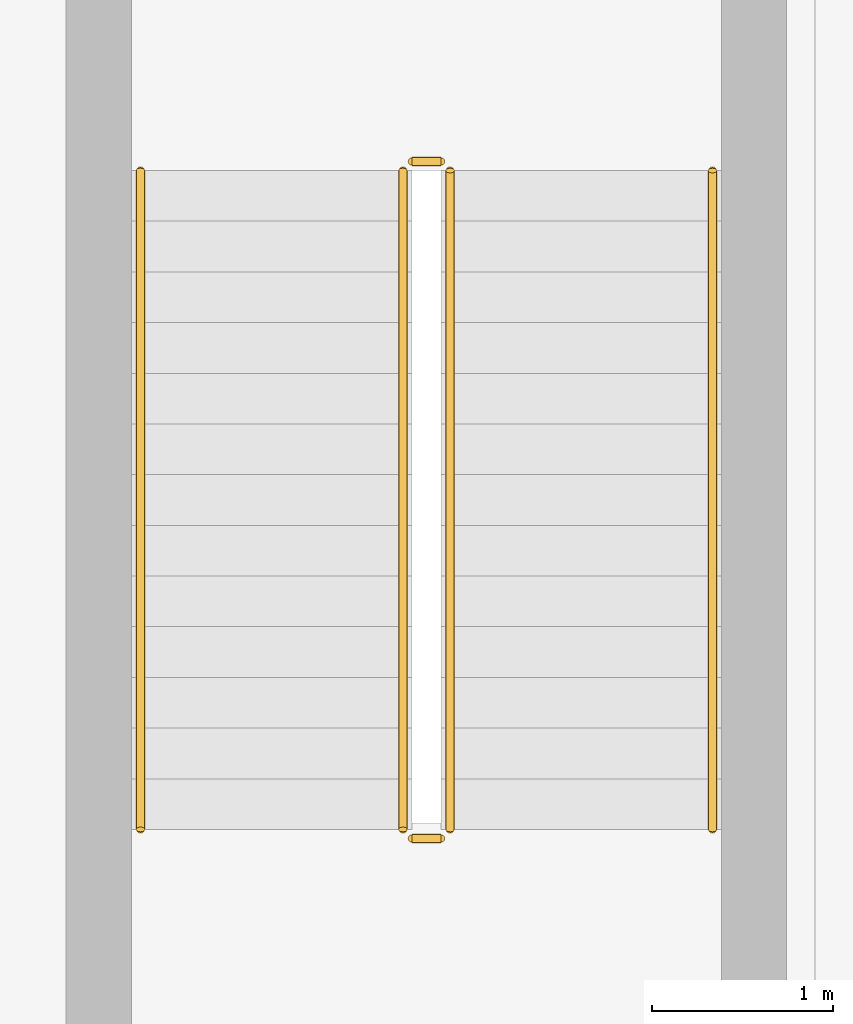
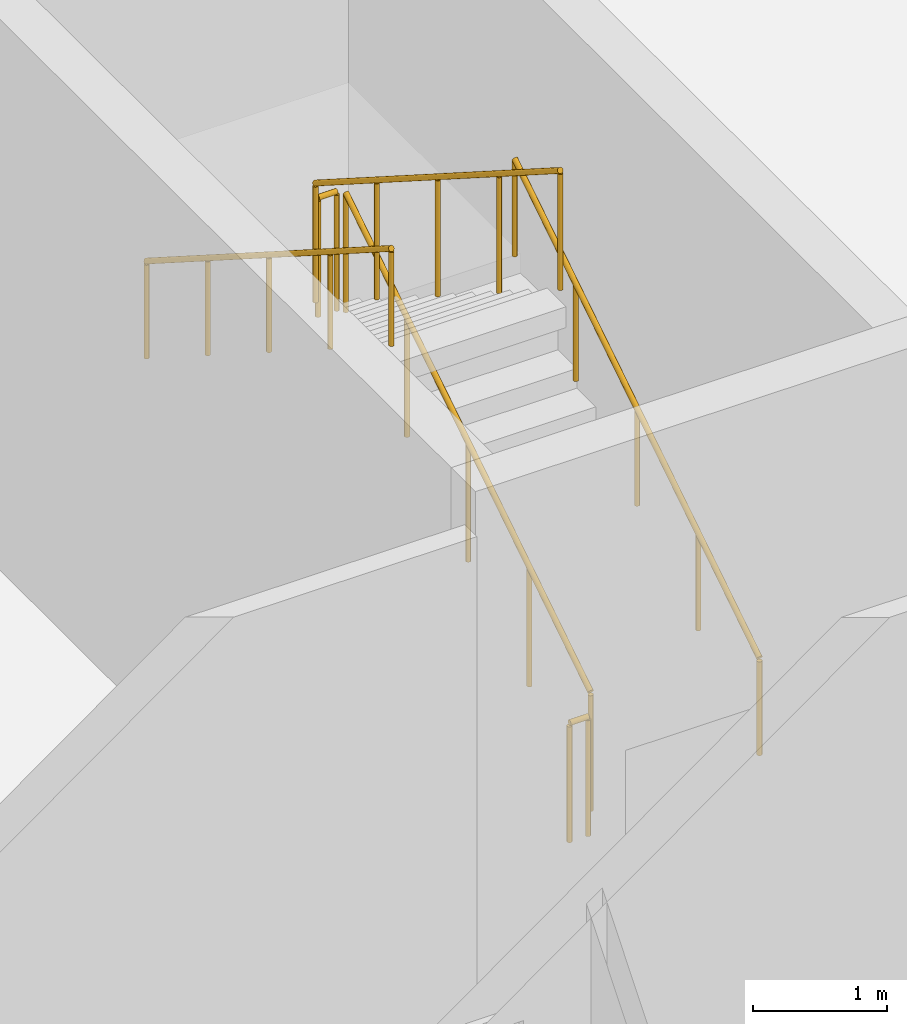
# One storey, part 13 of 15: 6 railings.
"""IFC4 building model written with IfcOpenShell, lengths in metres."""

from ifc_helpers import new_model, si_unit, direction, frame, origin, origin_2d, place, context, subcontext, project, spatial, circle, extrude, source, transform, mapped, material, type_object, element, save


model = new_model("IFC4")

# Units and contexts
model_context = context("Model", 3, precision=1e-05, world=origin(), true_north=direction((0.0, 1.0)))
body_context = subcontext(model_context, "Body", "Model", "MODEL_VIEW")
ifc_project = project(units=[si_unit("LENGTHUNIT", "METRE"), si_unit("AREAUNIT", "SQUARE_METRE"), si_unit("VOLUMEUNIT", "CUBIC_METRE"), si_unit("PLANEANGLEUNIT", "RADIAN"), si_unit("MASSUNIT", "GRAM", prefix="KILO"), si_unit("THERMODYNAMICTEMPERATUREUNIT", "KELVIN")], contexts=[model_context])

# Site, building, storey
site_placement = place(None, origin())
site = spatial("IfcSite", under=ifc_project, at=site_placement, CompositionType="ELEMENT")
building_placement = place(site_placement, origin())
building = spatial("IfcBuilding", under=site, at=building_placement, Name="Kosmvard Interchange Tower", CompositionType="ELEMENT")
storey_placement = place(building_placement, frame((0.0, 0.0, 11.0)))
storey = spatial("IfcBuildingStorey", under=building, at=storey_placement, Name="L02", CompositionType="ELEMENT", Elevation=11.0)

# Railings
ifc_material = material(Name="Steel S355", Category="steel")
railing_type_1 = type_object("IfcRailingType", Name="Stair & Terrace Safety Guardrail 1100 Steel", PredefinedType="GUARDRAIL", material=ifc_material)
shared_shape_1 = source(origin(), body_context, "Body", "SweptSolid", [
    extrude(circle(Radius=0.02392578125, at=origin_2d()), frame((0.0, 0.0, 1.076171875), z_axis=(0.0, 0.843111507901, 0.53773877045), x_axis=(-1.0, 0.0, 0.0)), (0.0, 0.0, 1.0), 4.317138671875),
    extrude(circle(Radius=0.02099609375, at=origin_2d()), origin(), (0.0, 0.0, 1.0), 1.052001953125),
    extrude(circle(Radius=0.02099609375, at=origin_2d()), frame((0.0, 0.909912109375, 0.580322265625)), (0.0, 0.0, 1.0), 1.052001953125),
    extrude(circle(Radius=0.02099609375, at=origin_2d()), frame((0.0, 1.81982421875, 1.16064453125)), (0.0, 0.0, 1.0), 1.052001953125),
    extrude(circle(Radius=0.02099609375, at=origin_2d()), frame((0.0, 2.72998046875, 1.7412109375)), (0.0, 0.0, 1.0), 1.052001953125),
    extrude(circle(Radius=0.02099609375, at=origin_2d()), frame((0.0, 3.639892578125, 2.321533203125)), (0.0, 0.0, 1.0), 1.052001953125),
])
railing_1_placement = place(storey_placement, frame((21.080078125, -3.0, 0.178466796875)))
element("IfcRailing", 1, at=railing_1_placement, inside=storey, type_object=railing_type_1, Name="L02 ST-4 stair guard 1", PredefinedType="GUARDRAIL", context=body_context, shape_type="MappedRepresentation", body=[
    mapped(shared_shape_1, transform((0.0, 0.0, 0.0), scale=1.0)),
])
shared_shape_2 = source(origin(), body_context, "Body", "SweptSolid", [
    extrude(circle(Radius=0.02392578125, at=origin_2d()), frame((0.0, 0.0, 1.076171875), z_axis=(0.0, -0.843111507901, 0.53773877045), x_axis=(1.0, 0.0, 0.0)), (0.0, 0.0, 1.0), 4.317138671875),
    extrude(circle(Radius=0.02099609375, at=origin_2d()), origin(), (0.0, 0.0, 1.0), 1.052001953125),
    extrude(circle(Radius=0.02099609375, at=origin_2d()), frame((0.0, -0.909912109375, 0.580322265625)), (0.0, 0.0, 1.0), 1.052001953125),
    extrude(circle(Radius=0.02099609375, at=origin_2d()), frame((0.0, -1.81982421875, 1.16064453125)), (0.0, 0.0, 1.0), 1.052001953125),
    extrude(circle(Radius=0.02099609375, at=origin_2d()), frame((0.0, -2.72998046875, 1.7412109375)), (0.0, 0.0, 1.0), 1.052001953125),
    extrude(circle(Radius=0.02099609375, at=origin_2d()), frame((0.0, -3.639892578125, 2.321533203125)), (0.0, 0.0, 1.0), 1.052001953125),
])
railing_2_placement = place(storey_placement, frame((20.820068359375, 0.639892578125, 2.678466796875)))
element("IfcRailing", 2, at=railing_2_placement, inside=storey, type_object=railing_type_1, Name="L02 ST-4 stair guard 3", PredefinedType="GUARDRAIL", context=body_context, shape_type="MappedRepresentation", body=[
    mapped(shared_shape_2, transform((0.0, 0.0, 0.0), scale=1.0)),
])
railing_type_2 = type_object("IfcRailingType", Name="Wall-Mounted Stair Handrail 900 Steel", PredefinedType="HANDRAIL", material=ifc_material)
shared_shape_3 = source(origin(), body_context, "Body", "SweptSolid", [
    extrude(circle(Radius=0.02392578125, at=origin_2d()), frame((0.0, 0.0, 0.8759765625), z_axis=(0.0, 0.843111507901, 0.53773877045), x_axis=(-1.0, 0.0, 0.0)), (0.0, 0.0, 1.0), 4.317138671875),
    extrude(circle(Radius=0.02099609375, at=origin_2d()), origin(), (0.0, 0.0, 1.0), 0.851806640625),
    extrude(circle(Radius=0.02099609375, at=origin_2d()), frame((0.0, 0.909912109375, 0.580322265625)), (0.0, 0.0, 1.0), 0.851806640625),
    extrude(circle(Radius=0.02099609375, at=origin_2d()), frame((0.0, 1.81982421875, 1.16064453125)), (0.0, 0.0, 1.0), 0.851806640625),
    extrude(circle(Radius=0.02099609375, at=origin_2d()), frame((0.0, 2.72998046875, 1.7412109375)), (0.0, 0.0, 1.0), 0.851806640625),
    extrude(circle(Radius=0.02099609375, at=origin_2d()), frame((0.0, 3.639892578125, 2.321533203125)), (0.0, 0.0, 1.0), 0.851806640625),
])
railing_3_placement = place(storey_placement, frame((22.530029296875, -3.0, 0.178466796875)))
element("IfcRailing", 3, at=railing_3_placement, inside=storey, type_object=railing_type_2, Name="L02 ST-4 stair handrail 1", PredefinedType="HANDRAIL", context=body_context, shape_type="MappedRepresentation", body=[
    mapped(shared_shape_3, transform((0.0, 0.0, 0.0), scale=1.0)),
])
shared_shape_4 = source(origin(), body_context, "Body", "SweptSolid", [
    extrude(circle(Radius=0.02392578125, at=origin_2d()), frame((0.0, 0.0, 0.8759765625), z_axis=(0.0, -0.843111507901, 0.53773877045), x_axis=(1.0, 0.0, 0.0)), (0.0, 0.0, 1.0), 4.317138671875),
    extrude(circle(Radius=0.02099609375, at=origin_2d()), origin(), (0.0, 0.0, 1.0), 0.851806640625),
    extrude(circle(Radius=0.02099609375, at=origin_2d()), frame((0.0, -0.909912109375, 0.580322265625)), (0.0, 0.0, 1.0), 0.851806640625),
    extrude(circle(Radius=0.02099609375, at=origin_2d()), frame((0.0, -1.81982421875, 1.16064453125)), (0.0, 0.0, 1.0), 0.851806640625),
    extrude(circle(Radius=0.02099609375, at=origin_2d()), frame((0.0, -2.72998046875, 1.7412109375)), (0.0, 0.0, 1.0), 0.851806640625),
    extrude(circle(Radius=0.02099609375, at=origin_2d()), frame((0.0, -3.639892578125, 2.321533203125)), (0.0, 0.0, 1.0), 0.851806640625),
])
railing_4_placement = place(storey_placement, frame((19.3701171875, 0.639892578125, 2.678466796875)))
element("IfcRailing", 4, at=railing_4_placement, inside=storey, type_object=railing_type_2, Name="L02 ST-4 stair handrail 2", PredefinedType="HANDRAIL", context=body_context, shape_type="MappedRepresentation", body=[
    mapped(shared_shape_4, transform((0.0, 0.0, 0.0), scale=1.0)),
])
shared_shape_5 = source(origin(), body_context, "Body", "SweptSolid", [
    extrude(circle(Radius=0.02392578125, at=origin_2d()), frame((0.0, 0.0, 1.076171875), z_axis=(-1.0, 0.0, 0.0), x_axis=(0.0, -1.0, 0.0)), (0.0, 0.0, 1.0), 0.159912109375),
    extrude(circle(Radius=0.02099609375, at=origin_2d()), origin(), (0.0, 0.0, 1.0), 1.052001953125),
    extrude(circle(Radius=0.02099609375, at=origin_2d()), frame((-0.159912109375, 0.0, 0.0)), (0.0, 0.0, 1.0), 1.052001953125),
])
for number, where, name in (
    (5, (21.030029296875, 0.68994140625, 2.5), "L02 ST-4 stair guard 2"),
    (6, (21.030029296875, -3.050048828125, 0.0), "L02 ST-4 stair guard 4"),
):
    element("IfcRailing", number, at=place(storey_placement, frame(where)), inside=storey, type_object=railing_type_1, Name=name, PredefinedType="GUARDRAIL", context=body_context, shape_type="MappedRepresentation", body=[
        mapped(shared_shape_5, transform((0.0, 0.0, 0.0), scale=1.0)),
    ])

save(model, "model.ifc")
